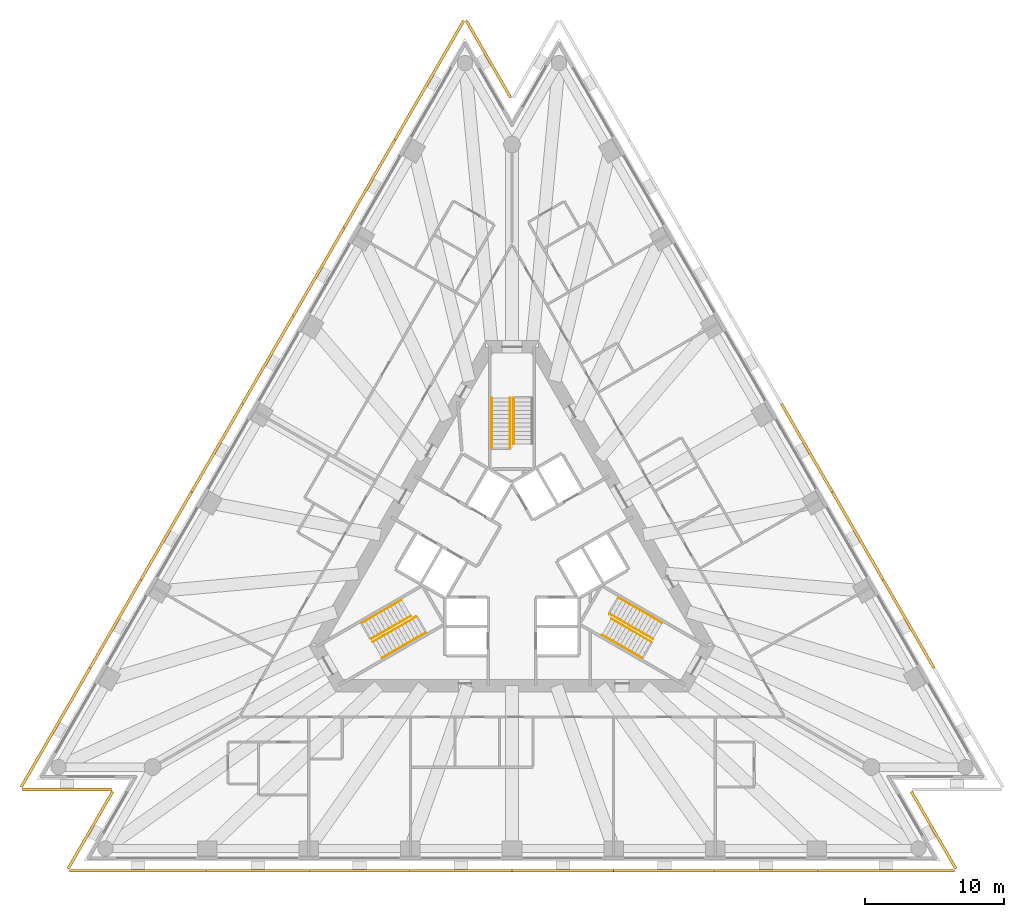
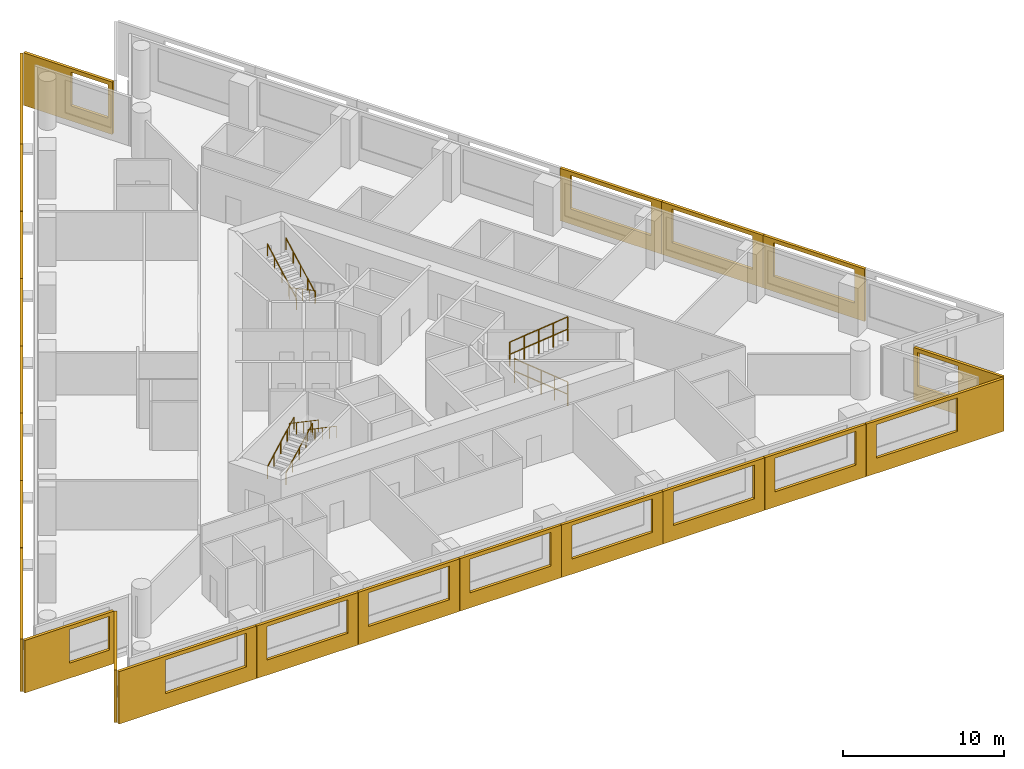
# One storey, part 10 of 11: 23 shading devices, 11 railings, 3 elements without a shape of their own.
"""IFC4 building model written with IfcOpenShell, lengths in metres."""

from ifc_helpers import new_model, si_unit, direction, frame, origin, origin_2d, place, context, subcontext, project, spatial, polyline, circle, outline, extrude, material, layer, layer_set, type_object, element, aggregate, save


model = new_model("IFC4")

# Units and contexts
model_context = context("Model", 3, precision=1e-05, world=origin(), true_north=direction((0.0, 1.0)))
body_context = subcontext(model_context, "Body", "Model", "MODEL_VIEW")
ifc_project = project(units=[si_unit("LENGTHUNIT", "METRE"), si_unit("AREAUNIT", "SQUARE_METRE"), si_unit("VOLUMEUNIT", "CUBIC_METRE"), si_unit("PLANEANGLEUNIT", "RADIAN"), si_unit("MASSUNIT", "GRAM", prefix="KILO")], contexts=[model_context])

# Site, building, storey
site_placement = place(None, origin())
site = spatial("IfcSite", under=ifc_project, at=site_placement, CompositionType="ELEMENT")
building_placement = place(site_placement, origin())
building = spatial("IfcBuilding", under=site, at=building_placement, Name="Triada Interchange Tower", CompositionType="ELEMENT")
storey_placement = place(building_placement, frame((0.0, 0.0, 79.300048828125)))
storey = spatial("IfcBuildingStorey", under=building, at=storey_placement, Name="L17", CompositionType="ELEMENT", Elevation=79.300048828125)

# Shading devices
ifc_material_1 = material(Name="Concrete C50/60 precast", Category="concrete")
ifc_layer_1 = layer(ifc_material_1, 0.02001953125, Name="Exposed aggregate face")
ifc_layer_2 = layer(ifc_material_1, 0.179931640625, Name="Precast concrete screen")
ifc_layer_set = layer_set([ifc_layer_1, ifc_layer_2], Name="Outer skin screen panel 3980")
shading_device_type = type_object("IfcShadingDeviceType", Name="Outer skin screen panel 3980", PredefinedType="SHUTTER", material=ifc_layer_set)
shading_device_1_placement = place(storey_placement, frame((-3.3759765625, 38.596923828125, -0.2900390625), z_axis=(0.0, 0.0, 1.0), x_axis=(-0.500019487037, -0.866014152646, 0.0)))
element("IfcShadingDevice", 1, at=shading_device_1_placement, inside=storey, type_object=shading_device_type, Name="Outer skin screen panel L17 01", PredefinedType="SHUTTER", context=body_context, shape_type="SweptSolid", body=[
    extrude(outline(polyline([(0.0, 0.0), (9.86572265625, 0.0), (9.86572265625, 3.97998046875), (0.0, 3.97998046875), (0.0, 0.0)]), holes=[polyline([(3.33154296875, 1.139892578125), (3.33154296875, 3.68994140625), (9.131591796875, 3.68994140625), (9.131591796875, 1.139892578125), (3.33154296875, 1.139892578125)])]), frame((0.0, 0.0, 0.0), z_axis=(0.0, -1.0, 0.0), x_axis=(1.0, 0.0, 0.0)), (0.0, 0.0, 1.0), 0.199951171875),
])
shading_device_2_placement = place(storey_placement, frame((-8.319091796875, 30.035888671875, -0.2900390625), z_axis=(0.0, 0.0, 1.0), x_axis=(-0.499997733992, -0.866026712061, 0.0)))
element("IfcShadingDevice", 2, at=shading_device_2_placement, inside=storey, type_object=shading_device_type, Name="Outer skin screen panel L17 02", PredefinedType="SHUTTER", context=body_context, shape_type="SweptSolid", body=[
    extrude(outline(polyline([(0.0, 0.0), (7.267578125, 0.0), (7.267578125, 3.97998046875), (0.0, 3.97998046875), (0.0, 0.0)]), holes=[polyline([(0.73388671875, 1.139892578125), (0.73388671875, 3.68994140625), (6.533935546875, 3.68994140625), (6.533935546875, 1.139892578125), (0.73388671875, 1.139892578125)])]), frame((0.0, 0.0, 0.0), z_axis=(0.0, -1.0, 0.0), x_axis=(1.0, 0.0, 0.0)), (0.0, 0.0, 1.0), 0.199951171875),
])
shading_device_3_placement = place(storey_placement, frame((-11.962890625, 23.72509765625, -0.2900390625), z_axis=(0.0, 0.0, 1.0), x_axis=(-0.499907598821, -0.866078745058, 0.0)))
element("IfcShadingDevice", 3, at=shading_device_3_placement, inside=storey, type_object=shading_device_type, Name="Outer skin screen panel L17 03", PredefinedType="SHUTTER", context=body_context, shape_type="SweptSolid", body=[
    extrude(outline(polyline([(0.0, 0.0), (7.267578125, 0.0), (7.267578125, 3.97998046875), (0.0, 3.97998046875), (0.0, 0.0)]), holes=[polyline([(0.7333984375, 1.139892578125), (0.7333984375, 3.68994140625), (6.533447265625, 3.68994140625), (6.533447265625, 1.139892578125), (0.7333984375, 1.139892578125)])]), frame((0.0, 0.0, 0.0), z_axis=(0.0, -1.0, 0.0), x_axis=(1.0, 0.0, 0.0)), (0.0, 0.0, 1.0), 0.199951171875),
])
shading_device_4_placement = place(storey_placement, frame((-15.60595703125, 17.4140625, -0.2900390625), z_axis=(0.0, 0.0, 1.0), x_axis=(-0.500022928159, -0.866012165801, 0.0)))
element("IfcShadingDevice", 4, at=shading_device_4_placement, inside=storey, type_object=shading_device_type, Name="Outer skin screen panel L17 04", PredefinedType="SHUTTER", context=body_context, shape_type="SweptSolid", body=[
    extrude(outline(polyline([(0.0, 0.0), (7.267822265625, 0.0), (7.267822265625, 3.97998046875), (0.0, 3.97998046875), (0.0, 0.0)]), holes=[polyline([(0.73388671875, 1.139892578125), (0.73388671875, 3.68994140625), (6.53369140625, 3.68994140625), (6.53369140625, 1.139892578125), (0.73388671875, 1.139892578125)])]), frame((0.0, 0.0, 0.0), z_axis=(0.0, -1.0, 0.0), x_axis=(1.0, 0.0, 0.0)), (0.0, 0.0, 1.0), 0.199951171875),
])
shading_device_5_placement = place(storey_placement, frame((-19.25, 11.10205078125, -0.2900390625), z_axis=(0.0, 0.0, 1.0), x_axis=(-0.500022928159, -0.866012165801, 0.0)))
element("IfcShadingDevice", 5, at=shading_device_5_placement, inside=storey, type_object=shading_device_type, Name="Outer skin screen panel L17 05", PredefinedType="SHUTTER", context=body_context, shape_type="SweptSolid", body=[
    extrude(outline(polyline([(0.0, 0.0), (7.267822265625, 0.0), (7.267822265625, 3.97998046875), (0.0, 3.97998046875), (0.0, 0.0)]), holes=[polyline([(0.734130859375, 1.139892578125), (0.734130859375, 3.68994140625), (6.5341796875, 3.68994140625), (6.5341796875, 1.139892578125), (0.734130859375, 1.139892578125)])]), frame((0.0, 0.0, 0.0), z_axis=(0.0, -1.0, 0.0), x_axis=(1.0, 0.0, 0.0)), (0.0, 0.0, 1.0), 0.199951171875),
])
shading_device_6_placement = place(storey_placement, frame((-22.89404296875, 4.791015625, -0.2900390625), z_axis=(0.0, 0.0, 1.0), x_axis=(-0.500022928159, -0.866012165801, 0.0)))
element("IfcShadingDevice", 6, at=shading_device_6_placement, inside=storey, type_object=shading_device_type, Name="Outer skin screen panel L17 06", PredefinedType="SHUTTER", context=body_context, shape_type="SweptSolid", body=[
    extrude(outline(polyline([(0.0, 0.0), (7.267822265625, 0.0), (7.267822265625, 3.97998046875), (0.0, 3.97998046875), (0.0, 0.0)]), holes=[polyline([(0.733642578125, 1.139892578125), (0.733642578125, 3.68994140625), (6.53369140625, 3.68994140625), (6.53369140625, 1.139892578125), (0.733642578125, 1.139892578125)])]), frame((0.0, 0.0, 0.0), z_axis=(0.0, -1.0, 0.0), x_axis=(1.0, 0.0, 0.0)), (0.0, 0.0, 1.0), 0.199951171875),
])
shading_device_7_placement = place(storey_placement, frame((-26.5380859375, -1.52001953125, -0.2900390625), z_axis=(0.0, 0.0, 1.0), x_axis=(-0.499896944627, -0.866084894657, 0.0)))
element("IfcShadingDevice", 7, at=shading_device_7_placement, inside=storey, type_object=shading_device_type, Name="Outer skin screen panel L17 07", PredefinedType="SHUTTER", context=body_context, shape_type="SweptSolid", body=[
    extrude(outline(polyline([(0.0, 0.0), (7.26708984375, 0.0), (7.26708984375, 3.97998046875), (0.0, 3.97998046875), (0.0, 0.0)]), holes=[polyline([(0.73388671875, 1.139892578125), (0.73388671875, 3.68994140625), (6.533935546875, 3.68994140625), (6.533935546875, 1.139892578125), (0.73388671875, 1.139892578125)])]), frame((0.0, 0.0, 0.0), z_axis=(0.0, -1.0, 0.0), x_axis=(1.0, 0.0, 0.0)), (0.0, 0.0, 1.0), 0.199951171875),
])
shading_device_8_placement = place(storey_placement, frame((-30.180908203125, -7.8310546875, -0.2900390625), z_axis=(0.0, 0.0, 1.0), x_axis=(-0.500019487037, -0.866014152646, 0.0)))
element("IfcShadingDevice", 8, at=shading_device_8_placement, inside=storey, type_object=shading_device_type, Name="Outer skin screen panel L17 08", PredefinedType="SHUTTER", context=body_context, shape_type="SweptSolid", body=[
    extrude(outline(polyline([(0.0, 0.0), (9.86572265625, 0.0), (9.86572265625, 3.97998046875), (0.0, 3.97998046875), (0.0, 0.0)]), holes=[polyline([(0.7333984375, 1.139892578125), (0.7333984375, 3.68994140625), (6.533447265625, 3.68994140625), (6.533447265625, 1.139892578125), (0.7333984375, 1.139892578125)])]), frame((0.0, 0.0, 0.0), z_axis=(0.0, -1.0, 0.0), x_axis=(1.0, 0.0, 0.0)), (0.0, 0.0, 1.0), 0.199951171875),
])
shading_device_9_placement = place(storey_placement, frame((-35.10888671875, -16.384033203125, -0.2900390625), z_axis=(0.0, 0.0, 1.0), x_axis=(1.0, 0.0, 0.0)))
element("IfcShadingDevice", 9, at=shading_device_9_placement, inside=storey, type_object=shading_device_type, Name="Outer skin screen panel L17 09", PredefinedType="SHUTTER", context=body_context, shape_type="SweptSolid", body=[
    extrude(outline(polyline([(0.0, 0.0), (6.373779296875, 0.0), (6.373779296875, 3.97998046875), (0.0, 3.97998046875), (0.0, 0.0)]), holes=[polyline([(3.175048828125, 1.139892578125), (3.175048828125, 3.68994140625), (6.073974609375, 3.68994140625), (6.073974609375, 1.139892578125), (3.175048828125, 1.139892578125)])]), frame((0.0, 0.0, 0.0), z_axis=(0.0, -1.0, 0.0), x_axis=(1.0, 0.0, 0.0)), (0.0, 0.0, 1.0), 0.199951171875),
])
shading_device_10_placement = place(storey_placement, frame((-28.555908203125, -16.693115234375, -0.2900390625), z_axis=(0.0, 0.0, 1.0), x_axis=(-0.500019757925, -0.866013996241, 0.0)))
element("IfcShadingDevice", 10, at=shading_device_10_placement, inside=storey, type_object=shading_device_type, Name="Outer skin screen panel L17 10", PredefinedType="SHUTTER", context=body_context, shape_type="SweptSolid", body=[
    extrude(outline(polyline([(0.0, 0.0), (6.373779296875, 0.0), (6.373779296875, 3.97998046875), (0.0, 3.97998046875), (0.0, 0.0)]), holes=[polyline([(0.300048828125, 1.139892578125), (0.300048828125, 3.68994140625), (2.9580078125, 3.68994140625), (2.9580078125, 1.139892578125), (0.300048828125, 1.139892578125)])]), frame((0.0, 0.0, 0.0), z_axis=(0.0, -1.0, 0.0), x_axis=(1.0, 0.0, 0.0)), (0.0, 0.0, 1.0), 0.199951171875),
])
shading_device_11_placement = place(storey_placement, frame((-31.738037109375, -22.221923828125, -0.2900390625), z_axis=(0.0, 0.0, 1.0), x_axis=(1.0, 0.0, 0.0)))
element("IfcShadingDevice", 11, at=shading_device_11_placement, inside=storey, type_object=shading_device_type, Name="Outer skin screen panel L17 11", PredefinedType="SHUTTER", context=body_context, shape_type="SweptSolid", body=[
    extrude(outline(polyline([(0.0, 0.0), (9.865966796875, 0.0), (9.865966796875, 3.97998046875), (0.0, 3.97998046875), (0.0, 0.0)]), holes=[polyline([(3.33203125, 1.139892578125), (3.33203125, 3.68994140625), (9.132080078125, 3.68994140625), (9.132080078125, 1.139892578125), (3.33203125, 1.139892578125)])]), frame((0.0, 0.0, 0.0), z_axis=(0.0, -1.0, 0.0), x_axis=(1.0, 0.0, 0.0)), (0.0, 0.0, 1.0), 0.199951171875),
])
shading_device_12_placement = place(storey_placement, frame((-21.85205078125, -22.221923828125, -0.2900390625), z_axis=(0.0, 0.0, 1.0), x_axis=(1.0, 0.0, 0.0)))
element("IfcShadingDevice", 12, at=shading_device_12_placement, inside=storey, type_object=shading_device_type, Name="Outer skin screen panel L17 12", PredefinedType="SHUTTER", context=body_context, shape_type="SweptSolid", body=[
    extrude(outline(polyline([(0.0, 0.0), (7.26708984375, 0.0), (7.26708984375, 3.97998046875), (0.0, 3.97998046875), (0.0, 0.0)]), holes=[polyline([(0.7333984375, 1.139892578125), (0.7333984375, 3.68994140625), (6.533447265625, 3.68994140625), (6.533447265625, 1.139892578125), (0.7333984375, 1.139892578125)])]), frame((0.0, 0.0, 0.0), z_axis=(0.0, -1.0, 0.0), x_axis=(1.0, 0.0, 0.0)), (0.0, 0.0, 1.0), 0.199951171875),
])
shading_device_13_placement = place(storey_placement, frame((-14.56494140625, -22.221923828125, -0.2900390625), z_axis=(0.0, 0.0, 1.0), x_axis=(1.0, 0.0, 0.0)))
element("IfcShadingDevice", 13, at=shading_device_13_placement, inside=storey, type_object=shading_device_type, Name="Outer skin screen panel L17 13", PredefinedType="SHUTTER", context=body_context, shape_type="SweptSolid", body=[
    extrude(outline(polyline([(0.0, 0.0), (7.266845703125, 0.0), (7.266845703125, 3.97998046875), (0.0, 3.97998046875), (0.0, 0.0)]), holes=[polyline([(0.73388671875, 1.139892578125), (0.73388671875, 3.68994140625), (6.533935546875, 3.68994140625), (6.533935546875, 1.139892578125), (0.73388671875, 1.139892578125)])]), frame((0.0, 0.0, 0.0), z_axis=(0.0, -1.0, 0.0), x_axis=(1.0, 0.0, 0.0)), (0.0, 0.0, 1.0), 0.199951171875),
])
shading_device_14_placement = place(storey_placement, frame((-7.278076171875, -22.221923828125, -0.2900390625), z_axis=(0.0, 0.0, 1.0), x_axis=(1.0, 0.0, 0.0)))
element("IfcShadingDevice", 14, at=shading_device_14_placement, inside=storey, type_object=shading_device_type, Name="Outer skin screen panel L17 14", PredefinedType="SHUTTER", context=body_context, shape_type="SweptSolid", body=[
    extrude(outline(polyline([(0.0, 0.0), (7.26806640625, 0.0), (7.26806640625, 3.97998046875), (0.0, 3.97998046875), (0.0, 0.0)]), holes=[polyline([(0.7333984375, 1.139892578125), (0.7333984375, 3.68994140625), (6.533447265625, 3.68994140625), (6.533447265625, 1.139892578125), (0.7333984375, 1.139892578125)])]), frame((0.0, 0.0, 0.0), z_axis=(0.0, -1.0, 0.0), x_axis=(1.0, 0.0, 0.0)), (0.0, 0.0, 1.0), 0.199951171875),
])
shading_device_15_placement = place(storey_placement, frame((0.010009765625, -22.221923828125, -0.2900390625), z_axis=(0.0, 0.0, 1.0), x_axis=(1.0, 0.0, 0.0)))
element("IfcShadingDevice", 15, at=shading_device_15_placement, inside=storey, type_object=shading_device_type, Name="Outer skin screen panel L17 15", PredefinedType="SHUTTER", context=body_context, shape_type="SweptSolid", body=[
    extrude(outline(polyline([(0.0, 0.0), (7.26806640625, 0.0), (7.26806640625, 3.97998046875), (0.0, 3.97998046875), (0.0, 0.0)]), holes=[polyline([(0.73388671875, 1.139892578125), (0.73388671875, 3.68994140625), (6.533935546875, 3.68994140625), (6.533935546875, 1.139892578125), (0.73388671875, 1.139892578125)])]), frame((0.0, 0.0, 0.0), z_axis=(0.0, -1.0, 0.0), x_axis=(1.0, 0.0, 0.0)), (0.0, 0.0, 1.0), 0.199951171875),
])
shading_device_16_placement = place(storey_placement, frame((7.297119140625, -22.221923828125, -0.2900390625), z_axis=(0.0, 0.0, 1.0), x_axis=(1.0, 0.0, 0.0)))
element("IfcShadingDevice", 16, at=shading_device_16_placement, inside=storey, type_object=shading_device_type, Name="Outer skin screen panel L17 16", PredefinedType="SHUTTER", context=body_context, shape_type="SweptSolid", body=[
    extrude(outline(polyline([(0.0, 0.0), (7.267822265625, 0.0), (7.267822265625, 3.97998046875), (0.0, 3.97998046875), (0.0, 0.0)]), holes=[polyline([(0.7333984375, 1.139892578125), (0.7333984375, 3.68994140625), (6.533447265625, 3.68994140625), (6.533447265625, 1.139892578125), (0.7333984375, 1.139892578125)])]), frame((0.0, 0.0, 0.0), z_axis=(0.0, -1.0, 0.0), x_axis=(1.0, 0.0, 0.0)), (0.0, 0.0, 1.0), 0.199951171875),
])
shading_device_17_placement = place(storey_placement, frame((14.5849609375, -22.221923828125, -0.2900390625), z_axis=(0.0, 0.0, 1.0), x_axis=(1.0, 0.0, 0.0)))
element("IfcShadingDevice", 17, at=shading_device_17_placement, inside=storey, type_object=shading_device_type, Name="Outer skin screen panel L17 17", PredefinedType="SHUTTER", context=body_context, shape_type="SweptSolid", body=[
    extrude(outline(polyline([(0.0, 0.0), (7.26806640625, 0.0), (7.26806640625, 3.97998046875), (0.0, 3.97998046875), (0.0, 0.0)]), holes=[polyline([(0.73388671875, 1.139892578125), (0.73388671875, 3.68994140625), (6.533935546875, 3.68994140625), (6.533935546875, 1.139892578125), (0.73388671875, 1.139892578125)])]), frame((0.0, 0.0, 0.0), z_axis=(0.0, -1.0, 0.0), x_axis=(1.0, 0.0, 0.0)), (0.0, 0.0, 1.0), 0.199951171875),
])
shading_device_18_placement = place(storey_placement, frame((21.8720703125, -22.221923828125, -0.2900390625), z_axis=(0.0, 0.0, 1.0), x_axis=(1.0, 0.0, 0.0)))
element("IfcShadingDevice", 18, at=shading_device_18_placement, inside=storey, type_object=shading_device_type, Name="Outer skin screen panel L17 18", PredefinedType="SHUTTER", context=body_context, shape_type="SweptSolid", body=[
    extrude(outline(polyline([(0.0, 0.0), (9.865966796875, 0.0), (9.865966796875, 3.97998046875), (0.0, 3.97998046875), (0.0, 0.0)]), holes=[polyline([(0.7333984375, 1.139892578125), (0.7333984375, 3.68994140625), (6.533447265625, 3.68994140625), (6.533447265625, 1.139892578125), (0.7333984375, 1.139892578125)])]), frame((0.0, 0.0, 0.0), z_axis=(0.0, -1.0, 0.0), x_axis=(1.0, 0.0, 0.0)), (0.0, 0.0, 1.0), 0.199951171875),
])
shading_device_19_placement = place(storey_placement, frame((31.742919921875, -22.212890625, -0.2900390625), z_axis=(0.0, 0.0, 1.0), x_axis=(-0.500019757925, 0.866013996241, 0.0)))
element("IfcShadingDevice", 19, at=shading_device_19_placement, inside=storey, type_object=shading_device_type, Name="Outer skin screen panel L17 19", PredefinedType="SHUTTER", context=body_context, shape_type="SweptSolid", body=[
    extrude(outline(polyline([(0.0, 0.0), (6.373779296875, 0.0), (6.373779296875, 3.97998046875), (0.0, 3.97998046875), (0.0, 0.0)]), holes=[polyline([(3.17529296875, 1.139892578125), (3.17529296875, 3.68994140625), (6.07421875, 3.68994140625), (6.07421875, 1.139892578125), (3.17529296875, 1.139892578125)])]), frame((0.0, 0.0, 0.0), z_axis=(0.0, -1.0, 0.0), x_axis=(1.0, 0.0, 0.0)), (0.0, 0.0, 1.0), 0.199951171875),
])
shading_device_20_placement = place(storey_placement, frame((30.1708984375, -7.81396484375, -0.2900390625), z_axis=(0.0, 0.0, 1.0), x_axis=(-0.499896944627, 0.866084894657, 0.0)))
element("IfcShadingDevice", 20, at=shading_device_20_placement, inside=storey, type_object=shading_device_type, Name="Outer skin screen panel L17 22", PredefinedType="SHUTTER", context=body_context, shape_type="SweptSolid", body=[
    extrude(outline(polyline([(0.0, 0.0), (7.26708984375, 0.0), (7.26708984375, 3.97998046875), (0.0, 3.97998046875), (0.0, 0.0)]), holes=[polyline([(0.733642578125, 1.139892578125), (0.733642578125, 3.68994140625), (6.53369140625, 3.68994140625), (6.53369140625, 1.139892578125), (0.733642578125, 1.139892578125)])]), frame((0.0, 0.0, 0.0), z_axis=(0.0, -1.0, 0.0), x_axis=(1.0, 0.0, 0.0)), (0.0, 0.0, 1.0), 0.199951171875),
])
shading_device_21_placement = place(storey_placement, frame((26.528076171875, -1.5029296875, -0.2900390625), z_axis=(0.0, 0.0, 1.0), x_axis=(-0.500022928159, 0.866012165801, 0.0)))
element("IfcShadingDevice", 21, at=shading_device_21_placement, inside=storey, type_object=shading_device_type, Name="Outer skin screen panel L17 23", PredefinedType="SHUTTER", context=body_context, shape_type="SweptSolid", body=[
    extrude(outline(polyline([(0.0, 0.0), (7.267822265625, 0.0), (7.267822265625, 3.97998046875), (0.0, 3.97998046875), (0.0, 0.0)]), holes=[polyline([(0.734130859375, 1.139892578125), (0.734130859375, 3.68994140625), (6.5341796875, 3.68994140625), (6.5341796875, 1.139892578125), (0.734130859375, 1.139892578125)])]), frame((0.0, 0.0, 0.0), z_axis=(0.0, -1.0, 0.0), x_axis=(1.0, 0.0, 0.0)), (0.0, 0.0, 1.0), 0.199951171875),
])
shading_device_22_placement = place(storey_placement, frame((22.884033203125, 4.80810546875, -0.2900390625), z_axis=(0.0, 0.0, 1.0), x_axis=(-0.500022928159, 0.866012165801, 0.0)))
element("IfcShadingDevice", 22, at=shading_device_22_placement, inside=storey, type_object=shading_device_type, Name="Outer skin screen panel L17 24", PredefinedType="SHUTTER", context=body_context, shape_type="SweptSolid", body=[
    extrude(outline(polyline([(0.0, 0.0), (7.267822265625, 0.0), (7.267822265625, 3.97998046875), (0.0, 3.97998046875), (0.0, 0.0)]), holes=[polyline([(0.7333984375, 1.139892578125), (0.7333984375, 3.68994140625), (6.533447265625, 3.68994140625), (6.533447265625, 1.139892578125), (0.7333984375, 1.139892578125)])]), frame((0.0, 0.0, 0.0), z_axis=(0.0, -1.0, 0.0), x_axis=(1.0, 0.0, 0.0)), (0.0, 0.0, 1.0), 0.199951171875),
])
shading_device_23_placement = place(storey_placement, frame((-0.177978515625, 33.076904296875, -0.2900390625), z_axis=(0.0, 0.0, 1.0), x_axis=(-0.500118066197, 0.865957227502, 0.0)))
element("IfcShadingDevice", 23, at=shading_device_23_placement, inside=storey, type_object=shading_device_type, Name="Outer skin screen panel L17 30", PredefinedType="SHUTTER", context=body_context, shape_type="SweptSolid", body=[
    extrude(outline(polyline([(0.0, 0.0), (6.37451171875, 0.0), (6.37451171875, 3.97998046875), (0.0, 3.97998046875), (0.0, 0.0)]), holes=[polyline([(0.300048828125, 1.139892578125), (0.300048828125, 3.68994140625), (2.9580078125, 3.68994140625), (2.9580078125, 1.139892578125), (0.300048828125, 1.139892578125)])]), frame((0.0, 0.0, 0.0), z_axis=(0.0, -1.0, 0.0), x_axis=(1.0, 0.0, 0.0)), (0.0, 0.0, 1.0), 0.199951171875),
])

# Stair, railings
ifc_material_2 = material(Name="Concrete C35/45", Category="concrete")
stair_type = type_object("IfcStairType", Name="HALF TURN STAIR 1400", PredefinedType="HALF_TURN_STAIR", material=ifc_material_2)
stair_1_placement = place(storey_placement, origin())
stair_1 = element("IfcStair", 24, at=stair_1_placement, inside=storey, type_object=stair_type, Name="Exit stair S15-1", PredefinedType="HALF_TURN_STAIR")
ifc_material_3 = material(Name="Stainless steel 1.4301", Category="steel")
railing_type = type_object("IfcRailingType", Name="STAIR HANDRAIL 900", PredefinedType="HANDRAIL", material=ifc_material_3)
railing_1_placement = place(storey_placement, frame((0.1201171875, 11.60009765625, 0.159912109375)))
railing_1 = element("IfcRailing", 25, at=railing_1_placement, type_object=railing_type, Name="Handrail S15-1 1C", PredefinedType="HANDRAIL", context=body_context, shape_type="SweptSolid", body=[
    extrude(circle(Radius=0.02392578125, at=origin_2d()), frame((0.0, 0.0, 0.8759765625), z_axis=(0.0, -0.882354748157, 0.47058484719), x_axis=(1.0, 0.0, 0.0)), (0.0, 0.0, 1.0), 3.739990234375),
    extrude(circle(Radius=0.02099609375, at=origin_2d()), origin(), (0.0, 0.0, 1.0), 0.851806640625),
    extrude(circle(Radius=0.02099609375, at=origin_2d()), frame((0.0, -0.824951171875, 0.43994140625)), (0.0, 0.0, 1.0), 0.851806640625),
    extrude(circle(Radius=0.02099609375, at=origin_2d()), frame((0.0, -1.64990234375, 0.8798828125)), (0.0, 0.0, 1.0), 0.851806640625),
    extrude(circle(Radius=0.02099609375, at=origin_2d()), frame((0.0, -2.47509765625, 1.320068359375)), (0.0, 0.0, 1.0), 0.851806640625),
    extrude(circle(Radius=0.02099609375, at=origin_2d()), frame((0.0, -3.300048828125, 1.760009765625)), (0.0, 0.0, 1.0), 0.851806640625),
])
railing_2_placement = place(storey_placement, frame((-1.449951171875, 8.0, 2.079833984375)))
railing_2 = element("IfcRailing", 26, at=railing_2_placement, type_object=railing_type, Name="Handrail S15-1 2W", PredefinedType="HANDRAIL", context=body_context, shape_type="SweptSolid", body=[
    extrude(circle(Radius=0.02392578125, at=origin_2d()), frame((0.0, 0.0, 0.8759765625), z_axis=(0.0, 0.882341346394, 0.470609974867), x_axis=(-1.0, 0.0, 0.0)), (0.0, 0.0, 1.0), 4.080078125),
    extrude(circle(Radius=0.02099609375, at=origin_2d()), origin(), (0.0, 0.0, 1.0), 0.851806640625),
    extrude(circle(Radius=0.02099609375, at=origin_2d()), frame((0.0, 0.89990234375, 0.47998046875)), (0.0, 0.0, 1.0), 0.851806640625),
    extrude(circle(Radius=0.02099609375, at=origin_2d()), frame((0.0, 1.800048828125, 0.9599609375)), (0.0, 0.0, 1.0), 0.851806640625),
    extrude(circle(Radius=0.02099609375, at=origin_2d()), frame((0.0, 2.7001953125, 1.440185546875)), (0.0, 0.0, 1.0), 0.851806640625),
    extrude(circle(Radius=0.02099609375, at=origin_2d()), frame((0.0, 3.60009765625, 1.920166015625)), (0.0, 0.0, 1.0), 0.851806640625),
])
railing_3_placement = place(storey_placement, frame((-0.1201171875, 8.0, 2.079833984375)))
railing_3 = element("IfcRailing", 27, at=railing_3_placement, type_object=railing_type, Name="Handrail S15-1 2C", PredefinedType="HANDRAIL", context=body_context, shape_type="SweptSolid", body=[
    extrude(circle(Radius=0.02392578125, at=origin_2d()), frame((0.0, 0.0, 0.8759765625), z_axis=(0.0, 0.882341346394, 0.470609974867), x_axis=(-1.0, 0.0, 0.0)), (0.0, 0.0, 1.0), 4.080078125),
    extrude(circle(Radius=0.02099609375, at=origin_2d()), origin(), (0.0, 0.0, 1.0), 0.851806640625),
    extrude(circle(Radius=0.02099609375, at=origin_2d()), frame((0.0, 0.89990234375, 0.47998046875)), (0.0, 0.0, 1.0), 0.851806640625),
    extrude(circle(Radius=0.02099609375, at=origin_2d()), frame((0.0, 1.800048828125, 0.9599609375)), (0.0, 0.0, 1.0), 0.851806640625),
    extrude(circle(Radius=0.02099609375, at=origin_2d()), frame((0.0, 2.7001953125, 1.440185546875)), (0.0, 0.0, 1.0), 0.851806640625),
    extrude(circle(Radius=0.02099609375, at=origin_2d()), frame((0.0, 3.60009765625, 1.920166015625)), (0.0, 0.0, 1.0), 0.851806640625),
])
aggregate(stair_1, [railing_1, railing_2, railing_3])

stair_2_placement = place(storey_placement, origin())
stair_2 = element("IfcStair", 28, at=stair_2_placement, inside=storey, type_object=stair_type, Name="Exit stair S15-2", PredefinedType="HALF_TURN_STAIR")
railing_4_placement = place(storey_placement, frame((-10.77099609375, -4.5439453125, 0.159912109375)))
railing_4 = element("IfcRailing", 29, at=railing_4_placement, type_object=railing_type, Name="Handrail S15-2 1W", PredefinedType="HANDRAIL", context=body_context, shape_type="SweptSolid", body=[
    extrude(circle(Radius=0.02392578125, at=origin_2d()), frame((0.0, 0.0, 0.8759765625), z_axis=(0.764150854273, 0.441152526326, 0.470593158077), x_axis=(-0.499974350878, 0.866040211805, 0.0)), (0.0, 0.0, 1.0), 3.739990234375),
    extrude(circle(Radius=0.02099609375, at=origin_2d()), origin(), (0.0, 0.0, 1.0), 0.851806640625),
    extrude(circle(Radius=0.02099609375, at=origin_2d()), frame((0.71435546875, 0.41259765625, 0.43994140625)), (0.0, 0.0, 1.0), 0.851806640625),
    extrude(circle(Radius=0.02099609375, at=origin_2d()), frame((1.428955078125, 0.824951171875, 0.8798828125)), (0.0, 0.0, 1.0), 0.851806640625),
    extrude(circle(Radius=0.02099609375, at=origin_2d()), frame((2.1435546875, 1.2373046875, 1.320068359375)), (0.0, 0.0, 1.0), 0.851806640625),
    extrude(circle(Radius=0.02099609375, at=origin_2d()), frame((2.85791015625, 1.64990234375, 1.760009765625)), (0.0, 0.0, 1.0), 0.851806640625),
])
railing_5_placement = place(storey_placement, frame((-10.10595703125, -5.696044921875, 0.159912109375)))
railing_5 = element("IfcRailing", 30, at=railing_5_placement, type_object=railing_type, Name="Handrail S15-2 1C", PredefinedType="HANDRAIL", context=body_context, shape_type="SweptSolid", body=[
    extrude(circle(Radius=0.02392578125, at=origin_2d()), frame((0.0, 0.0, 0.8759765625), z_axis=(0.76412884773, 0.441205098395, 0.470579605611), x_axis=(-0.50002983664, 0.866008176907, 0.0)), (0.0, 0.0, 1.0), 3.739990234375),
    extrude(circle(Radius=0.02099609375, at=origin_2d()), origin(), (0.0, 0.0, 1.0), 0.851806640625),
    extrude(circle(Radius=0.02099609375, at=origin_2d()), frame((0.71435546875, 0.41259765625, 0.43994140625)), (0.0, 0.0, 1.0), 0.851806640625),
    extrude(circle(Radius=0.02099609375, at=origin_2d()), frame((1.428955078125, 0.8251953125, 0.8798828125)), (0.0, 0.0, 1.0), 0.851806640625),
    extrude(circle(Radius=0.02099609375, at=origin_2d()), frame((2.1435546875, 1.237548828125, 1.320068359375)), (0.0, 0.0, 1.0), 0.851806640625),
    extrude(circle(Radius=0.02099609375, at=origin_2d()), frame((2.85791015625, 1.650146484375, 1.760009765625)), (0.0, 0.0, 1.0), 0.851806640625),
])
railing_6_placement = place(storey_placement, frame((-6.202880859375, -5.256103515625, 2.079833984375)))
railing_6 = element("IfcRailing", 31, at=railing_6_placement, type_object=railing_type, Name="Handrail S15-2 2W", PredefinedType="HANDRAIL", context=body_context, shape_type="SweptSolid", body=[
    extrude(circle(Radius=0.02392578125, at=origin_2d()), frame((0.0, 0.0, 0.8759765625), z_axis=(-0.764189758314, -0.441090424232, 0.470588196769), x_axis=(0.499902469156, -0.866081705922, 0.0)), (0.0, 0.0, 1.0), 4.080322265625),
    extrude(circle(Radius=0.02099609375, at=origin_2d()), origin(), (0.0, 0.0, 1.0), 0.851806640625),
    extrude(circle(Radius=0.02099609375, at=origin_2d()), frame((-0.779541015625, -0.449951171875, 0.47998046875)), (0.0, 0.0, 1.0), 0.851806640625),
    extrude(circle(Radius=0.02099609375, at=origin_2d()), frame((-1.55908203125, -0.89990234375, 0.9599609375)), (0.0, 0.0, 1.0), 0.851806640625),
    extrude(circle(Radius=0.02099609375, at=origin_2d()), frame((-2.338623046875, -1.349853515625, 1.440185546875)), (0.0, 0.0, 1.0), 0.851806640625),
    extrude(circle(Radius=0.02099609375, at=origin_2d()), frame((-3.1181640625, -1.7998046875, 1.920166015625)), (0.0, 0.0, 1.0), 0.851806640625),
])
railing_7_placement = place(storey_placement, frame((-6.867919921875, -4.10400390625, 2.079833984375)))
railing_7 = element("IfcRailing", 32, at=railing_7_placement, type_object=railing_type, Name="Handrail S15-2 2C", PredefinedType="HANDRAIL", context=body_context, shape_type="SweptSolid", body=[
    extrude(circle(Radius=0.02392578125, at=origin_2d()), frame((0.0, 0.0, 0.8759765625), z_axis=(-0.764169589359, -0.441138614339, 0.470575776723), x_axis=(0.49995333141, -0.866052346231, 0.0)), (0.0, 0.0, 1.0), 4.08056640625),
    extrude(circle(Radius=0.02099609375, at=origin_2d()), origin(), (0.0, 0.0, 1.0), 0.851806640625),
    extrude(circle(Radius=0.02099609375, at=origin_2d()), frame((-0.779541015625, -0.449951171875, 0.47998046875)), (0.0, 0.0, 1.0), 0.851806640625),
    extrude(circle(Radius=0.02099609375, at=origin_2d()), frame((-1.55908203125, -0.89990234375, 0.9599609375)), (0.0, 0.0, 1.0), 0.851806640625),
    extrude(circle(Radius=0.02099609375, at=origin_2d()), frame((-2.338623046875, -1.35009765625, 1.440185546875)), (0.0, 0.0, 1.0), 0.851806640625),
    extrude(circle(Radius=0.02099609375, at=origin_2d()), frame((-3.1181640625, -1.800048828125, 1.920166015625)), (0.0, 0.0, 1.0), 0.851806640625),
])
aggregate(stair_2, [railing_4, railing_5, railing_6, railing_7])

stair_3_placement = place(storey_placement, origin())
stair_3 = element("IfcStair", 33, at=stair_3_placement, inside=storey, type_object=stair_type, Name="Exit stair S15-3", PredefinedType="HALF_TURN_STAIR")
railing_8_placement = place(storey_placement, frame((9.321044921875, -7.055908203125, 0.159912109375)))
railing_8 = element("IfcRailing", 34, at=railing_8_placement, type_object=railing_type, Name="Handrail S15-3 1W", PredefinedType="HANDRAIL", context=body_context, shape_type="SweptSolid", body=[
    extrude(circle(Radius=0.02392578125, at=origin_2d()), frame((0.0, 0.0, 0.8759765625), z_axis=(-0.764178012919, 0.441130521168, 0.470569684388), x_axis=(-0.499942318283, -0.866058703778, 0.0)), (0.0, 0.0, 1.0), 3.740234375),
    extrude(circle(Radius=0.02099609375, at=origin_2d()), origin(), (0.0, 0.0, 1.0), 0.851806640625),
    extrude(circle(Radius=0.02099609375, at=origin_2d()), frame((-0.714599609375, 0.41259765625, 0.43994140625)), (0.0, 0.0, 1.0), 0.851806640625),
    extrude(circle(Radius=0.02099609375, at=origin_2d()), frame((-1.42919921875, 0.824951171875, 0.8798828125)), (0.0, 0.0, 1.0), 0.851806640625),
    extrude(circle(Radius=0.02099609375, at=origin_2d()), frame((-2.1435546875, 1.2373046875, 1.320068359375)), (0.0, 0.0, 1.0), 0.851806640625),
    extrude(circle(Radius=0.02099609375, at=origin_2d()), frame((-2.858154296875, 1.64990234375, 1.760009765625)), (0.0, 0.0, 1.0), 0.851806640625),
])
railing_9_placement = place(storey_placement, frame((9.986083984375, -5.904052734375, 0.159912109375)))
railing_9 = element("IfcRailing", 35, at=railing_9_placement, type_object=railing_type, Name="Handrail S15-3 1C", PredefinedType="HANDRAIL", context=body_context, shape_type="SweptSolid", body=[
    extrude(circle(Radius=0.02392578125, at=origin_2d()), frame((0.0, 0.0, 0.8759765625), z_axis=(-0.764156007789, 0.441183091881, 0.47055613395), x_axis=(-0.49999780286, -0.8660266723, 0.0)), (0.0, 0.0, 1.0), 3.740234375),
    extrude(circle(Radius=0.02099609375, at=origin_2d()), origin(), (0.0, 0.0, 1.0), 0.851806640625),
    extrude(circle(Radius=0.02099609375, at=origin_2d()), frame((-0.714599609375, 0.41259765625, 0.43994140625)), (0.0, 0.0, 1.0), 0.851806640625),
    extrude(circle(Radius=0.02099609375, at=origin_2d()), frame((-1.42919921875, 0.8251953125, 0.8798828125)), (0.0, 0.0, 1.0), 0.851806640625),
    extrude(circle(Radius=0.02099609375, at=origin_2d()), frame((-2.1435546875, 1.237548828125, 1.320068359375)), (0.0, 0.0, 1.0), 0.851806640625),
    extrude(circle(Radius=0.02099609375, at=origin_2d()), frame((-2.858154296875, 1.650146484375, 1.760009765625)), (0.0, 0.0, 1.0), 0.851806640625),
])
railing_10_placement = place(storey_placement, frame((7.653076171875, -2.743896484375, 2.079833984375)))
railing_10 = element("IfcRailing", 36, at=railing_10_placement, type_object=railing_type, Name="Handrail S15-3 2W", PredefinedType="HANDRAIL", context=body_context, shape_type="SweptSolid", body=[
    extrude(circle(Radius=0.02392578125, at=origin_2d()), frame((0.0, 0.0, 0.8759765625), z_axis=(0.76414469501, -0.441158784458, 0.470597292793), x_axis=(0.499982693035, 0.866035395735, 0.0)), (0.0, 0.0, 1.0), 4.080322265625),
    extrude(circle(Radius=0.02099609375, at=origin_2d()), origin(), (0.0, 0.0, 1.0), 0.851806640625),
    extrude(circle(Radius=0.02099609375, at=origin_2d()), frame((0.779541015625, -0.449951171875, 0.47998046875)), (0.0, 0.0, 1.0), 0.851806640625),
    extrude(circle(Radius=0.02099609375, at=origin_2d()), frame((1.55908203125, -0.89990234375, 0.9599609375)), (0.0, 0.0, 1.0), 0.851806640625),
    extrude(circle(Radius=0.02099609375, at=origin_2d()), frame((2.33837890625, -1.35009765625, 1.440185546875)), (0.0, 0.0, 1.0), 0.851806640625),
    extrude(circle(Radius=0.02099609375, at=origin_2d()), frame((3.117919921875, -1.800048828125, 1.920166015625)), (0.0, 0.0, 1.0), 0.851806640625),
])
railing_11_placement = place(storey_placement, frame((6.988037109375, -3.89599609375, 2.079833984375)))
railing_11 = element("IfcRailing", 37, at=railing_11_placement, type_object=railing_type, Name="Handrail S15-3 2C", PredefinedType="HANDRAIL", context=body_context, shape_type="SweptSolid", body=[
    extrude(circle(Radius=0.02392578125, at=origin_2d()), frame((0.0, 0.0, 0.8759765625), z_axis=(0.76414469501, -0.441158784458, 0.470597292793), x_axis=(0.499982693035, 0.866035395735, 0.0)), (0.0, 0.0, 1.0), 4.080322265625),
    extrude(circle(Radius=0.02099609375, at=origin_2d()), origin(), (0.0, 0.0, 1.0), 0.851806640625),
    extrude(circle(Radius=0.02099609375, at=origin_2d()), frame((0.779541015625, -0.449951171875, 0.47998046875)), (0.0, 0.0, 1.0), 0.851806640625),
    extrude(circle(Radius=0.02099609375, at=origin_2d()), frame((1.55908203125, -0.89990234375, 0.9599609375)), (0.0, 0.0, 1.0), 0.851806640625),
    extrude(circle(Radius=0.02099609375, at=origin_2d()), frame((2.33837890625, -1.35009765625, 1.440185546875)), (0.0, 0.0, 1.0), 0.851806640625),
    extrude(circle(Radius=0.02099609375, at=origin_2d()), frame((3.117919921875, -1.800048828125, 1.920166015625)), (0.0, 0.0, 1.0), 0.851806640625),
])
aggregate(stair_3, [railing_8, railing_9, railing_10, railing_11])

save(model, "model.ifc")
